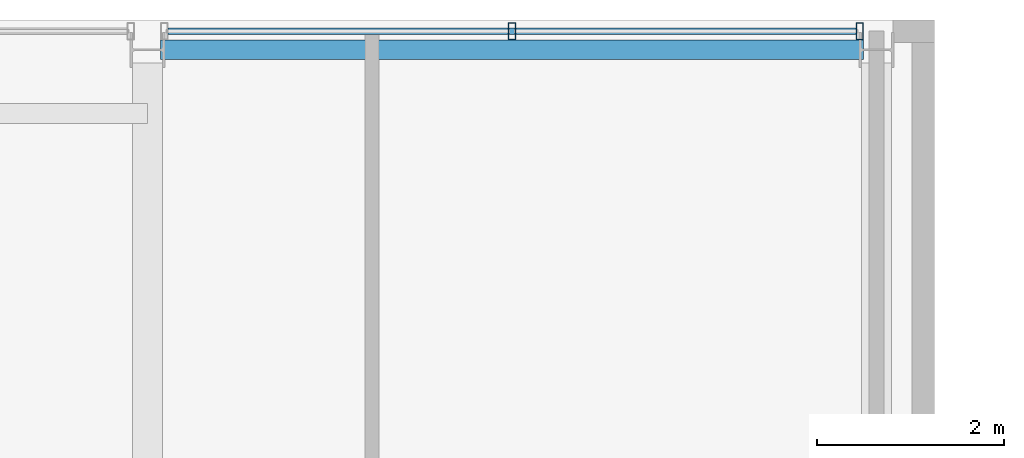
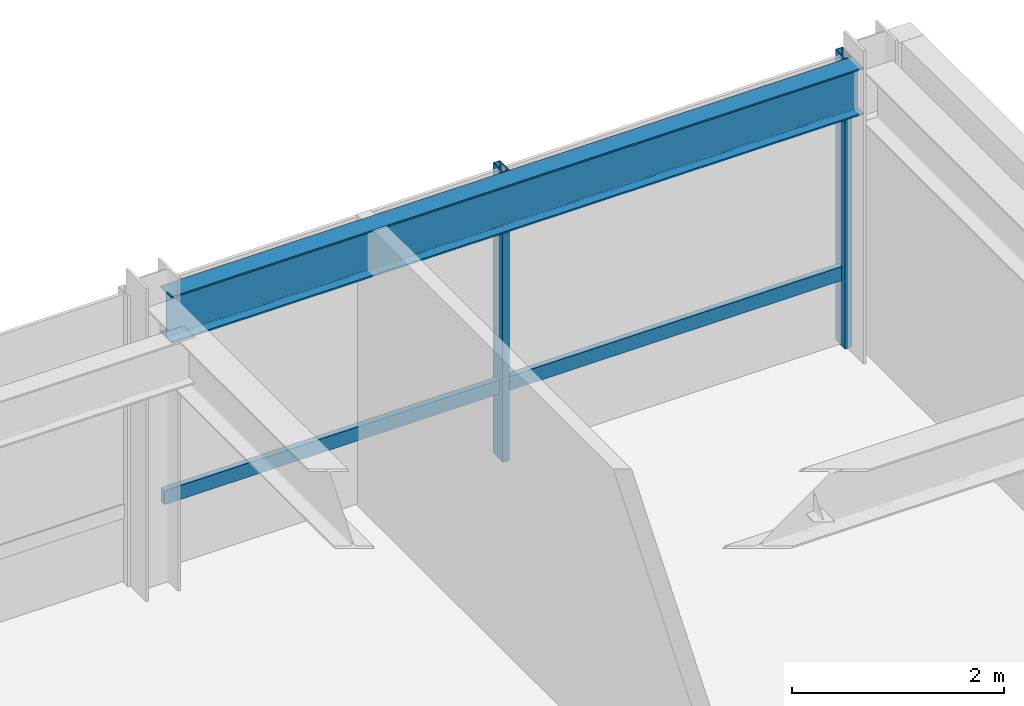
# One storey, part 24 of 32: 3 members, 1 beam, 1 element without a shape of its own.
"""IFC4 building model written with IfcOpenShell, lengths in metres."""

from ifc_helpers import new_model, si_unit, direction, frame, origin, origin_2d, place, context, subcontext, project, spatial, hollow_rectangle, i_section, extrude, material, layer, layer_set, material_profile, profile_set, type_object, element, aggregate, save


model = new_model("IFC4")

# Units and contexts
model_context = context("Model", 3, precision=1e-05, world=origin(), true_north=direction((0.0, 1.0)))
body_context = subcontext(model_context, "Body", "Model", "MODEL_VIEW")
ifc_project = project(units=[si_unit("LENGTHUNIT", "METRE"), si_unit("AREAUNIT", "SQUARE_METRE"), si_unit("VOLUMEUNIT", "CUBIC_METRE"), si_unit("PLANEANGLEUNIT", "RADIAN"), si_unit("MASSUNIT", "GRAM", prefix="KILO")], contexts=[model_context])

# Site, building, storey
site_placement = place(None, origin())
site = spatial("IfcSite", under=ifc_project, at=site_placement, CompositionType="ELEMENT")
building_placement = place(site_placement, origin())
building = spatial("IfcBuilding", under=site, at=building_placement, Name="Drelvath Grand Hotel", CompositionType="ELEMENT")
storey_placement = place(building_placement, frame((0.0, 0.0, 237.5)))
storey = spatial("IfcBuildingStorey", under=building, at=storey_placement, Name="L62", CompositionType="ELEMENT", Elevation=237.5)

# Curtain wall, members
ifc_material_1 = material(Name="Platinum-Mist Anodised Aluminium Frame", Category="aluminium")
ifc_layer = layer(ifc_material_1, 0.199951171875)
ifc_layer_set = layer_set([ifc_layer], Name="Platinum-Mist Anodised Aluminium Frame")
curtain_wall_type = type_object("IfcCurtainWallType", Name="Stick Curtain Wall CW-05 Platinum Mist High-Rise", PredefinedType="NOTDEFINED", material=ifc_layer_set)
curtain_wall_placement = place(storey_placement, origin())
curtain_wall = element("IfcCurtainWall", 1, at=curtain_wall_placement, inside=storey, type_object=curtain_wall_type, Name="L62 CW-05 Curtain Wall CW05-L62-NE2", PredefinedType="NOTDEFINED")
ifc_material_profile_1 = material_profile(ifc_material_1, hollow_rectangle(XDim=0.06494140625, YDim=0.159912109375, WallThickness=0.00390625, at=origin_2d()), Name="HSS160X65X4")
ifc_profile_set_1 = profile_set([ifc_material_profile_1], Name="Platinum-Mist Anodised Aluminium Frame")
member_type_1 = type_object("IfcMemberType", Name="Curtain Wall Horizontal Transom CW-05 HSS160X65X4", PredefinedType="USERDEFINED", material=ifc_profile_set_1)
member_1_placement = place(storey_placement, frame((8.6181640625, 49.080078125, 0.8349609375), z_axis=(1.0, 0.0, 0.0), x_axis=(0.0, 1.0, 0.0)))
member_1 = element("IfcMember", 2, at=member_1_placement, type_object=member_type_1, Name="CW05-L62-NE2 Sill Transom", ObjectType="TRANSOM", PredefinedType="USERDEFINED", context=body_context, shape_type="SweptSolid", body=[
    extrude(hollow_rectangle(XDim=0.06494140625, YDim=0.159912109375, WallThickness=0.00390625, at=origin_2d()), origin(), (0.0, 0.0, 1.0), 7.363525390625),
])
ifc_material_profile_2 = material_profile(ifc_material_1, hollow_rectangle(XDim=0.074951171875, YDim=0.179931640625, WallThickness=0.0048828125, at=origin_2d()), Name="HSS180X75X5")
ifc_profile_set_2 = profile_set([ifc_material_profile_2], Name="Platinum-Mist Anodised Aluminium Frame")
member_type_2 = type_object("IfcMemberType", Name="Curtain Wall Vertical Mullion CW-05 HSS180X75X5", PredefinedType="MULLION", material=ifc_profile_set_2)
member_2_placement = place(storey_placement, frame((12.300048828125, 49.080078125, 0.0), z_axis=(0.0, 0.0, 1.0), x_axis=(1.0, 0.0, 0.0)))
member_2 = element("IfcMember", 3, at=member_2_placement, type_object=member_type_2, Name="CW05-L62-NE2 Mullion 2", PredefinedType="MULLION", context=body_context, shape_type="SweptSolid", body=[
    extrude(hollow_rectangle(XDim=0.074951171875, YDim=0.179931640625, WallThickness=0.0048828125, at=origin_2d()), origin(), (0.0, 0.0, 1.0), 3.340087890625),
])
member_3_placement = place(storey_placement, frame((16.021728515625, 49.080078125, 0.0), z_axis=(0.0, 0.0, 1.0), x_axis=(1.0, 0.0, 0.0)))
member_3 = element("IfcMember", 4, at=member_3_placement, type_object=member_type_2, Name="CW05-L62-NE2 Mullion 3", PredefinedType="MULLION", context=body_context, shape_type="SweptSolid", body=[
    extrude(hollow_rectangle(XDim=0.074951171875, YDim=0.179931640625, WallThickness=0.0048828125, at=origin_2d()), origin(), (0.0, 0.0, 1.0), 3.340087890625),
])
aggregate(curtain_wall, [member_2, member_3, member_1])

# Beam
ifc_material_2 = material(Name="Steel ASTM A992 Gr 50", Category="steel")
ifc_material_profile_3 = material_profile(ifc_material_2, i_section(OverallWidth=0.210205078125, OverallDepth=0.53662109375, WebThickness=0.010986328125, FlangeThickness=0.017333984375, FilletRadius=0.01806640625, at=origin_2d()), Name="W21X68")
ifc_profile_set_3 = profile_set([ifc_material_profile_3], Name="Steel ASTM A992 Gr 50")
beam_type = type_object("IfcBeamType", Name="Perimeter Spandrel Beam W21X68", PredefinedType="SPANDREL", material=ifc_profile_set_3)
beam_placement = place(storey_placement, frame((8.5400390625, 48.8798828125, 3.07177734375), z_axis=(1.0, 0.0, 0.0), x_axis=(0.0, 1.0, 0.0)))
element("IfcBeam", 5, at=beam_placement, inside=storey, type_object=beam_type, Name="L62 Spandrel North E", PredefinedType="SPANDREL", context=body_context, shape_type="SweptSolid", body=[
    extrude(i_section(OverallWidth=0.210205078125, OverallDepth=0.53662109375, WebThickness=0.010986328125, FlangeThickness=0.017333984375, FilletRadius=0.01806640625, at=origin_2d()), origin(), (0.0, 0.0, 1.0), 7.52001953125),
])

save(model, "model.ifc")
